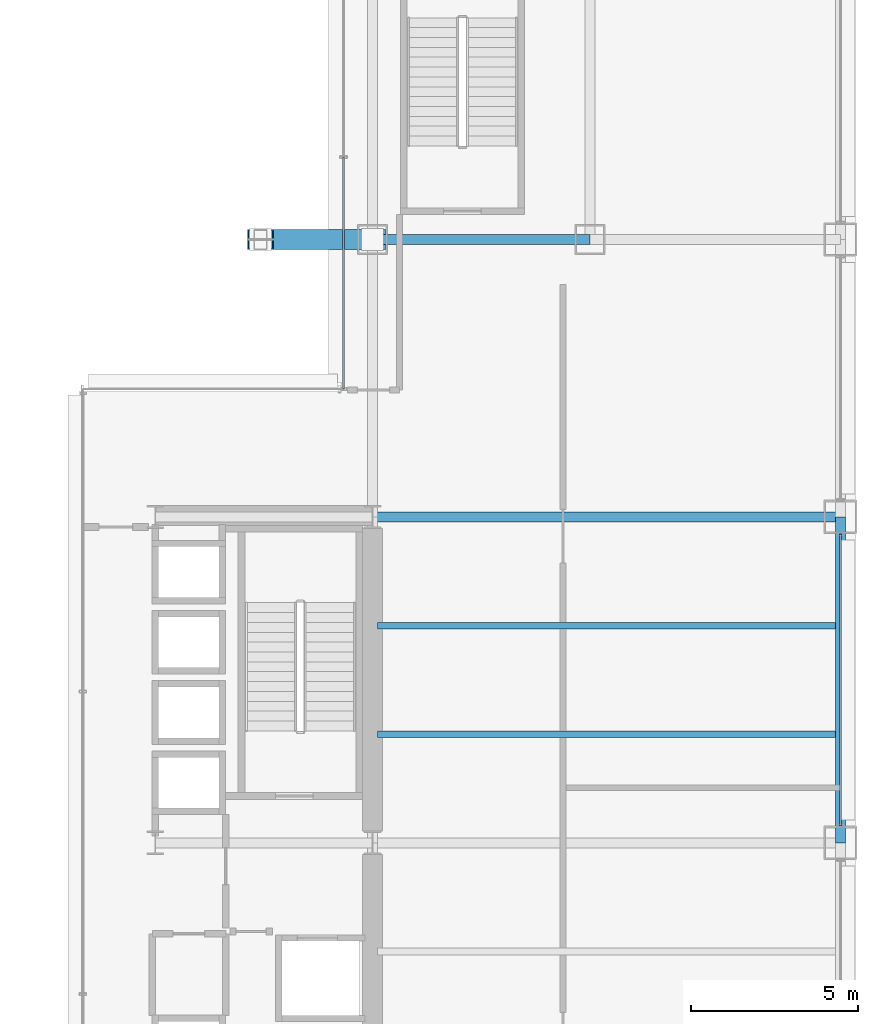
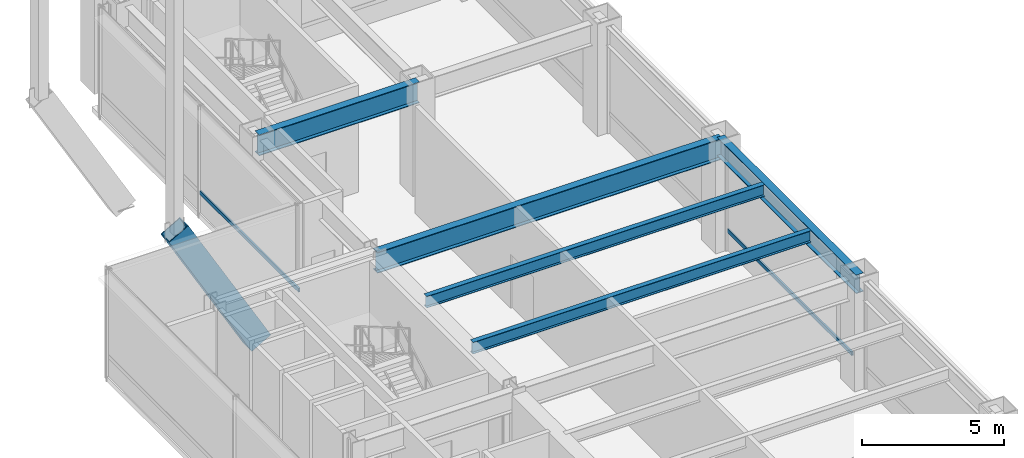
# One storey, part 22 of 40: 5 beams, 3 members, 2 elements without a shape of their own.
"""IFC4 building model written with IfcOpenShell, lengths in metres."""

from ifc_helpers import new_model, si_unit, direction, frame, origin, origin_2d, place, context, subcontext, project, spatial, hollow_rectangle, i_section, extrude, material, layer, layer_set, material_profile, profile_set, type_object, element, aggregate, save


model = new_model("IFC4")

# Units and contexts
model_context = context("Model", 3, precision=1e-05, world=origin(), true_north=direction((0.0, 1.0)))
body_context = subcontext(model_context, "Body", "Model", "MODEL_VIEW")
ifc_project = project(units=[si_unit("LENGTHUNIT", "METRE"), si_unit("AREAUNIT", "SQUARE_METRE"), si_unit("VOLUMEUNIT", "CUBIC_METRE"), si_unit("PLANEANGLEUNIT", "RADIAN"), si_unit("MASSUNIT", "GRAM", prefix="KILO")], contexts=[model_context])

# Site, building, storey
site_placement = place(None, origin())
site = spatial("IfcSite", under=ifc_project, at=site_placement, CompositionType="ELEMENT")
building_placement = place(site_placement, origin())
building = spatial("IfcBuilding", under=site, at=building_placement, Name="Brelmoor Portico Tower", CompositionType="ELEMENT")
storey_placement = place(building_placement, frame((0.0, 0.0, 4.800048828125)))
storey = spatial("IfcBuildingStorey", under=building, at=storey_placement, Name="L01", CompositionType="ELEMENT", Elevation=4.800048828125)

# Beams
ifc_material_1 = material(Name="Steel Q355B", Category="steel")
ifc_material_profile_1 = material_profile(ifc_material_1, i_section(OverallWidth=0.199951171875, OverallDepth=0.5, WebThickness=0.010009765625, FlangeThickness=0.01611328125, at=origin_2d()), Name="HN 500x200x10x16")
ifc_profile_set_1 = profile_set([ifc_material_profile_1], Name="Steel Q355B")
beam_type_1 = type_object("IfcBeamType", Name="BM-JS-500", PredefinedType="JOIST", material=ifc_profile_set_1)
for number, where, z_axis, x_axis, name in (
    (1, (14.699951171875, 3.25, 4.329833984375), (1.0, 0.0, 0.0), (0.0, 1.0, 0.0), "L01 Secondary Wing Joist JS-E07"),
    (2, (14.699951171875, 6.5, 4.329833984375), (1.0, 0.0, 0.0), (0.0, 1.0, 0.0), "L01 Secondary Wing Joist JS-E08"),
):
    element("IfcBeam", number, at=place(storey_placement, frame(where, z_axis=z_axis, x_axis=x_axis)), inside=storey, type_object=beam_type_1, Name=name, PredefinedType="JOIST", context=body_context, shape_type="SweptSolid", body=[
        extrude(i_section(OverallWidth=0.199951171875, OverallDepth=0.5, WebThickness=0.010009765625, FlangeThickness=0.01611328125, at=origin_2d()), origin(), (0.0, 0.0, 1.0), 13.699951171875),
    ])
ifc_material_profile_2 = material_profile(ifc_material_1, i_section(OverallWidth=0.300048828125, OverallDepth=0.89990234375, WebThickness=0.01611328125, FlangeThickness=0.028076171875, at=origin_2d()), Name="HN 900x300x16x28")
ifc_profile_set_2 = profile_set([ifc_material_profile_2], Name="Steel Q355B")
beam_type_2 = type_object("IfcBeamType", Name="BM-PG-900", PredefinedType="BEAM", material=ifc_profile_set_2)
beam_1_placement = place(storey_placement, frame((14.550048828125, 9.75, 4.1298828125), z_axis=(1.0, 0.0, 0.0), x_axis=(0.0, 1.0, 0.0)))
element("IfcBeam", 3, at=beam_1_placement, inside=storey, type_object=beam_type_2, Name="L01 Primary Floor Girder PG-36", PredefinedType="BEAM", context=body_context, shape_type="SweptSolid", body=[
    extrude(i_section(OverallWidth=0.300048828125, OverallDepth=0.89990234375, WebThickness=0.01611328125, FlangeThickness=0.028076171875, at=origin_2d()), origin(), (0.0, 0.0, 1.0), 14.0),
])
beam_2_placement = place(storey_placement, frame((14.550048828125, 18.050048828125, 4.1298828125), z_axis=(1.0, 0.0, 0.0), x_axis=(0.0, 1.0, 0.0)))
element("IfcBeam", 4, at=beam_2_placement, inside=storey, type_object=beam_type_2, Name="L01 Primary Floor Girder PG-39", PredefinedType="BEAM", context=body_context, shape_type="SweptSolid", body=[
    extrude(i_section(OverallWidth=0.300048828125, OverallDepth=0.89990234375, WebThickness=0.01611328125, FlangeThickness=0.028076171875, at=origin_2d()), origin(), (0.0, 0.0, 1.0), 6.5),
])
ifc_material_profile_3 = material_profile(ifc_material_1, i_section(OverallWidth=0.300048828125, OverallDepth=0.800048828125, WebThickness=0.013916015625, FlangeThickness=0.02587890625, at=origin_2d()), Name="HN 800x300x14x26")
ifc_profile_set_3 = profile_set([ifc_material_profile_3], Name="Steel Q355B")
beam_type_3 = type_object("IfcBeamType", Name="BM-SP-800", PredefinedType="SPANDREL", material=ifc_profile_set_3)
beam_3_placement = place(storey_placement, frame((28.550048828125, 0.0, 4.179931640625), z_axis=(0.0, 1.0, 0.0), x_axis=(-1.0, 0.0, 0.0)))
element("IfcBeam", 5, at=beam_3_placement, inside=storey, type_object=beam_type_3, Name="L01 Perimeter Spandrel Beam SP-18", PredefinedType="SPANDREL", context=body_context, shape_type="SweptSolid", body=[
    extrude(i_section(OverallWidth=0.300048828125, OverallDepth=0.800048828125, WebThickness=0.013916015625, FlangeThickness=0.02587890625, at=origin_2d()), origin(), (0.0, 0.0, 1.0), 9.75),
])

# Member
ifc_material_2 = material(Name="Steel Q420B", Category="steel")
ifc_material_profile_4 = material_profile(ifc_material_2, hollow_rectangle(XDim=0.60009765625, YDim=0.89990234375, WallThickness=0.035888671875, at=origin_2d()), Name="RHS 600x900x36")
ifc_profile_set_4 = profile_set([ifc_material_profile_4], Name="Steel Q420B")
member_type_1 = type_object("IfcMemberType", Name="MB-ARCH-RIB", PredefinedType="CHORD", material=ifc_profile_set_4)
member_1_placement = place(storey_placement, frame((11.199951171875, 18.050048828125, 1.599853515625), z_axis=(0.496957759354, 0.0, -0.867774731954), x_axis=(0.0, 1.0, 0.0)))
element("IfcMember", 6, at=member_1_placement, inside=storey, type_object=member_type_1, Name="Giant Portico Arch Rib N2-8", PredefinedType="CHORD", context=body_context, shape_type="SweptSolid", body=[
    extrude(hollow_rectangle(XDim=0.60009765625, YDim=0.89990234375, WallThickness=0.035888671875, at=origin_2d()), origin(), (0.0, 0.0, 1.0), 6.7412109375),
])

# Curtain wall, member
ifc_material_3 = material(Name="Anodised Aluminium Alloy 6063-T6", Category="aluminium")
ifc_layer = layer(ifc_material_3, 0.179931640625)
ifc_layer_set = layer_set([ifc_layer], Name="Anodised Aluminium Alloy 6063-T6")
curtain_wall_type = type_object("IfcCurtainWallType", Name="CW-PODIUM-ARCH", PredefinedType="NOTDEFINED", material=ifc_layer_set)
curtain_wall_1_placement = place(storey_placement, origin())
curtain_wall_1 = element("IfcCurtainWall", 7, at=curtain_wall_1_placement, inside=storey, type_object=curtain_wall_type, Name="L01 Curtain Wall CW-L01-06-4", PredefinedType="NOTDEFINED")
ifc_material_profile_5 = material_profile(ifc_material_3, hollow_rectangle(XDim=0.070068359375, YDim=0.159912109375, WallThickness=0.00390625, at=origin_2d()), Name="ALU TRANSOM 70x160")
ifc_profile_set_5 = profile_set([ifc_material_profile_5], Name="Anodised Aluminium Alloy 6063-T6")
member_type_2 = type_object("IfcMemberType", Name="MB-CW-TRAN-160", PredefinedType="USERDEFINED", material=ifc_profile_set_5)
member_2_placement = place(storey_placement, frame((28.550048828125, 0.510009765625, 0.849853515625), z_axis=(0.0, 1.0, 0.0), x_axis=(-1.0, 0.0, 0.0)))
member_2 = element("IfcMember", 8, at=member_2_placement, type_object=member_type_2, Name="CW-L01-06-4 Transom 1-00", ObjectType="TRANSOM", PredefinedType="USERDEFINED", context=body_context, shape_type="SweptSolid", body=[
    extrude(hollow_rectangle(XDim=0.070068359375, YDim=0.159912109375, WallThickness=0.00390625, at=origin_2d()), origin(), (0.0, 0.0, 1.0), 8.72998046875),
])
aggregate(curtain_wall_1, [member_2])

curtain_wall_2_placement = place(storey_placement, origin())
curtain_wall_2 = element("IfcCurtainWall", 9, at=curtain_wall_2_placement, inside=storey, type_object=curtain_wall_type, Name="L01 Curtain Wall CW-L01-10", PredefinedType="NOTDEFINED")
member_3_placement = place(storey_placement, frame((13.679931640625, 13.580078125, 0.849853515625), z_axis=(0.0, 1.0, 0.0), x_axis=(-1.0, 0.0, 0.0)))
member_3 = element("IfcMember", 10, at=member_3_placement, type_object=member_type_2, Name="CW-L01-10 Transom 1-00", ObjectType="TRANSOM", PredefinedType="USERDEFINED", context=body_context, shape_type="SweptSolid", body=[
    extrude(hollow_rectangle(XDim=0.070068359375, YDim=0.159912109375, WallThickness=0.00390625, at=origin_2d()), origin(), (0.0, 0.0, 1.0), 6.934814453125),
])
aggregate(curtain_wall_2, [member_3])

save(model, "model.ifc")
